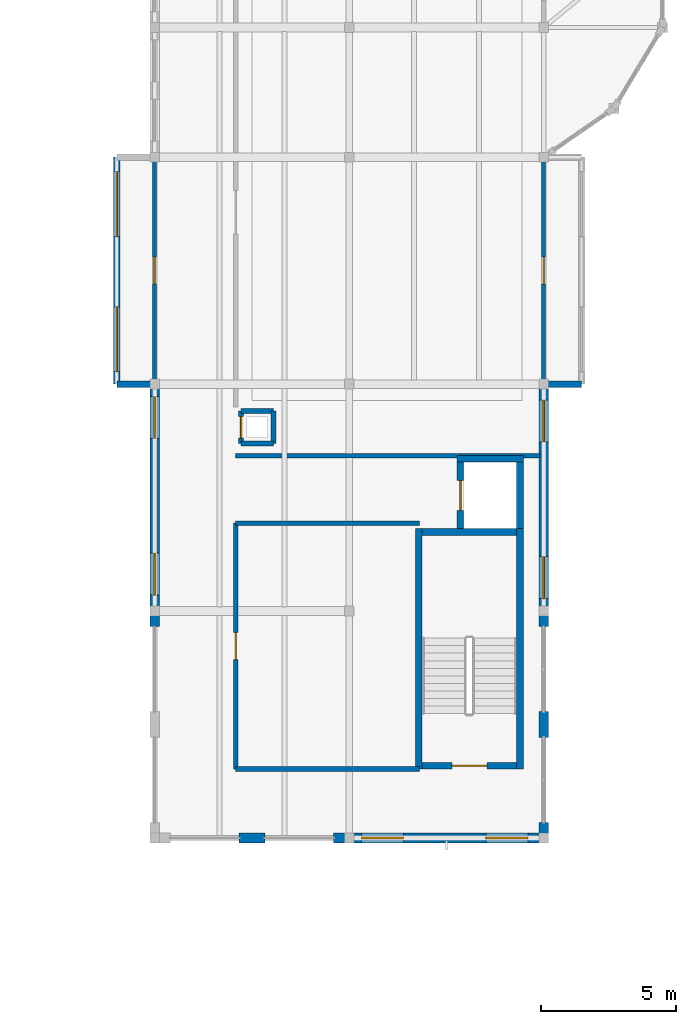
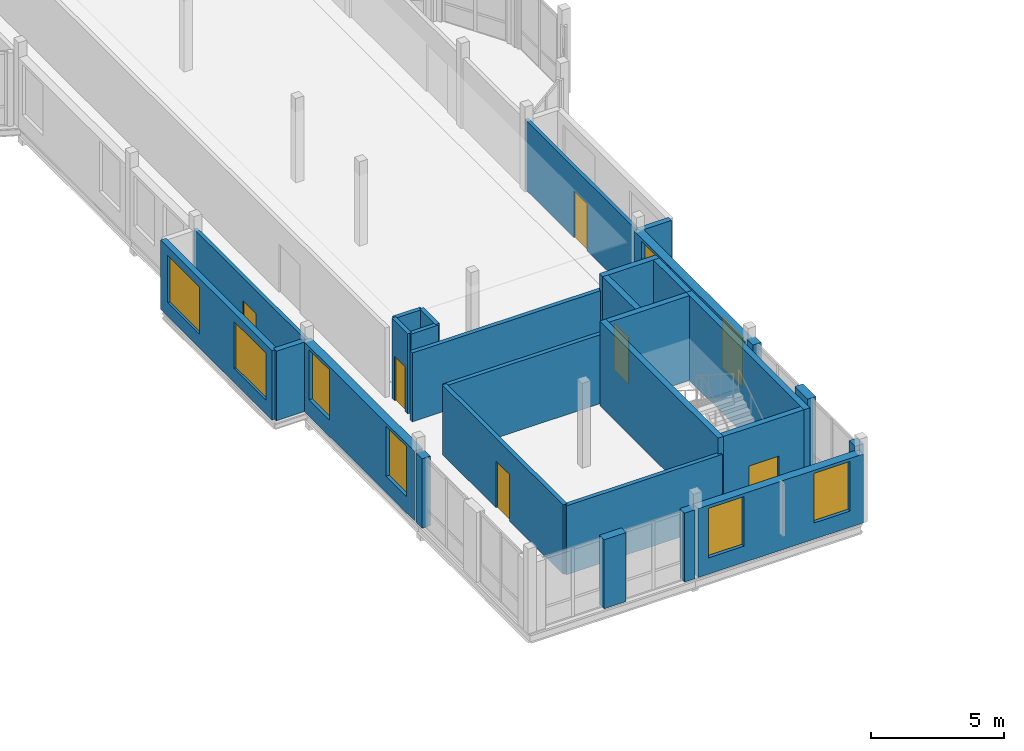
# One storey, part 39 of 57: 29 walls, 8 windows, 6 doors, 14 openings.
"""IFC4 building model written with IfcOpenShell, lengths in metres."""

from ifc_helpers import new_model, si_unit, direction, frame, frame_2d, origin, place, context, subcontext, project, spatial, rectangle, extrude, material, layer, layer_set, type_object, element, fill, save


model = new_model("IFC4")

# Units and contexts
model_context = context("Model", 3, precision=1e-05, world=origin(), true_north=direction((0.0, 1.0)))
body_context = subcontext(model_context, "Body", "Model", "MODEL_VIEW")
ifc_project = project(units=[si_unit("LENGTHUNIT", "METRE"), si_unit("AREAUNIT", "SQUARE_METRE"), si_unit("VOLUMEUNIT", "CUBIC_METRE"), si_unit("PLANEANGLEUNIT", "RADIAN"), si_unit("MASSUNIT", "GRAM", prefix="KILO")], contexts=[model_context])

# Site, building, storey
site_placement = place(None, origin())
site = spatial("IfcSite", under=ifc_project, at=site_placement, CompositionType="ELEMENT")
building_placement = place(site_placement, origin())
building = spatial("IfcBuilding", under=site, at=building_placement, Name="Kahlenmark Community Centre", CompositionType="ELEMENT")
storey_placement = place(building_placement, frame((0.0, 0.0, 13.800048828125)))
storey = spatial("IfcBuildingStorey", under=building, at=storey_placement, Name="L03", CompositionType="ELEMENT", Elevation=13.800048828125)

# Wall, opening, door
ifc_material_1 = material(Name="Concrete C35/45", Category="concrete")
ifc_layer_1 = layer(ifc_material_1, 0.25)
ifc_layer_set_1 = layer_set([ifc_layer_1], Name="Concrete C35/45")
wall_type_1 = type_object("IfcWallType", Name="WT-CORE-250", PredefinedType="SHEAR", material=ifc_layer_set_1)
wall_1_placement = place(storey_placement, frame((82.300048828125, 53.47509765625, 0.0), z_axis=(0.0, 0.0, 1.0), x_axis=(1.0, 0.0, 0.0)))
wall_1 = element("IfcWall", 1, at=wall_1_placement, inside=storey, type_object=wall_type_1, Name="Core K6 shear wall WL-CORE-K6-L03-0225", PredefinedType="SHEAR", context=body_context, shape_type="SweptSolid", body=[
    extrude(rectangle(XDim=3.5, YDim=0.25, at=frame_2d((1.75, 0.0))), origin(), (0.0, 0.0, 1.0), 3.89990234375),
])
opening_1_placement = place(wall_1_placement, frame((1.10009765625, 0.0, -0.010009765625)))
opening_1 = element("IfcOpeningElement", 2, at=opening_1_placement, cuts=wall_1, Name="Opening FD-K6-L03", PredefinedType="OPENING", context=body_context, shape_type="SweptSolid", body=[
    extrude(rectangle(XDim=1.300048828125, YDim=2.159912109375, at=frame_2d((0.64990234375, 1.080078125))), frame((0.0, 0.135009765625, 0.0), z_axis=(0.0, -1.0, 0.0), x_axis=(1.0, 0.0, 0.0)), (0.0, 0.0, 1.0), 0.27001953125),
])
ifc_material_2 = material(Name="Fire-rated steel-framed timber door FD60S", Category="steel")
door_type_1 = type_object("IfcDoorType", Name="DT-FD-K6-L03", OperationType="NOTDEFINED", PredefinedType="DOOR", material=ifc_material_2)
door_1_placement = place(opening_1_placement, frame((1.300048828125, 0.0, 0.010009765625), z_axis=(0.0, 0.0, 1.0), x_axis=(-1.0, 0.0, 0.0)))
door_1 = element("IfcDoor", 3, at=door_1_placement, inside=storey, type_object=door_type_1, Name="Core K6 stair fire door L03", OperationType="SINGLE_SWING_LEFT", OverallHeight=2.14990234375, OverallWidth=1.300048828125, PredefinedType="DOOR", context=body_context, shape_type="SweptSolid", body=[
    extrude(rectangle(XDim=1.300048828125, YDim=2.14990234375, at=frame_2d((0.64990234375, 1.074951171875))), frame((0.0, 0.02490234375, 0.0), z_axis=(0.0, -1.0, 0.0), x_axis=(1.0, 0.0, 0.0)), (0.0, 0.0, 1.0), 0.050048828125),
])
fill(opening_1, door_1)

# Walls
wall_2_placement = place(storey_placement, frame((82.175048828125, 53.35009765625, 0.0), z_axis=(0.0, 0.0, 1.0), x_axis=(0.0, 1.0, 0.0)))
element("IfcWall", 4, at=wall_2_placement, inside=storey, type_object=wall_type_1, Name="Core K6 shear wall WL-CORE-K6-L03-0226", PredefinedType="SHEAR", context=body_context, shape_type="SweptSolid", body=[
    extrude(rectangle(XDim=8.89990234375, YDim=0.25, at=frame_2d((4.449951171875, 0.0))), origin(), (0.0, 0.0, 1.0), 3.89990234375),
])
wall_3_placement = place(storey_placement, frame((85.800048828125, 62.125, 0.0), z_axis=(0.0, 0.0, 1.0), x_axis=(-1.0, 0.0, 0.0)))
element("IfcWall", 5, at=wall_3_placement, inside=storey, type_object=wall_type_1, Name="Core K6 shear wall WL-CORE-K6-L03-0227", PredefinedType="SHEAR", context=body_context, shape_type="SweptSolid", body=[
    extrude(rectangle(XDim=3.5, YDim=0.25, at=frame_2d((1.75, 0.0))), origin(), (0.0, 0.0, 1.0), 3.89990234375),
])
wall_4_placement = place(storey_placement, frame((85.925048828125, 53.35009765625, 0.0), z_axis=(0.0, 0.0, 1.0), x_axis=(0.0, 1.0, 0.0)))
element("IfcWall", 6, at=wall_4_placement, inside=storey, type_object=wall_type_1, Name="Core K6 shear wall WL-CORE-K6-L03-0228", PredefinedType="SHEAR", context=body_context, shape_type="SweptSolid", body=[
    extrude(rectangle(XDim=8.89990234375, YDim=0.25, at=frame_2d((4.449951171875, 0.0))), origin(), (0.0, 0.0, 1.0), 3.89990234375),
])
wall_5_placement = place(storey_placement, frame((83.590087890625, 64.8349609375, 0.0), z_axis=(0.0, 0.0, 1.0), x_axis=(1.0, 0.0, 0.0)))
element("IfcWall", 7, at=wall_5_placement, inside=storey, type_object=wall_type_1, Name="Core K6 shear wall WL-CORE-K6-L03-0229", PredefinedType="SHEAR", context=body_context, shape_type="SweptSolid", body=[
    extrude(rectangle(XDim=2.4599609375, YDim=0.25, at=frame_2d((1.22998046875, 0.0))), origin(), (0.0, 0.0, 1.0), 3.89990234375),
])

# Wall, opening, door
wall_6_placement = place(storey_placement, frame((83.715087890625, 62.25, 0.0), z_axis=(0.0, 0.0, 1.0), x_axis=(0.0, 1.0, 0.0)))
wall_6 = element("IfcWall", 8, at=wall_6_placement, inside=storey, type_object=wall_type_1, Name="Core K6 shear wall WL-CORE-K6-L03-0230", PredefinedType="SHEAR", context=body_context, shape_type="SweptSolid", body=[
    extrude(rectangle(XDim=2.4599609375, YDim=0.25, at=frame_2d((1.22998046875, 0.0))), origin(), (0.0, 0.0, 1.0), 3.89990234375),
])
opening_2_placement = place(wall_6_placement, frame((0.679931640625, 0.0, -0.010009765625)))
opening_2 = element("IfcOpeningElement", 9, at=opening_2_placement, cuts=wall_6, Name="Opening LD-6", PredefinedType="OPENING", context=body_context, shape_type="SweptSolid", body=[
    extrude(rectangle(XDim=1.10009765625, YDim=2.159912109375, at=frame_2d((0.550048828125, 1.080078125))), frame((0.0, 0.135009765625, 0.0), z_axis=(0.0, -1.0, 0.0), x_axis=(1.0, 0.0, 0.0)), (0.0, 0.0, 1.0), 0.27001953125),
])
ifc_material_3 = material(Name="Brushed stainless steel sliding lift landing door", Category="steel")
door_type_2 = type_object("IfcDoorType", Name="DT-LD-K6", OperationType="SLIDING_TO_LEFT", PredefinedType="DOOR", material=ifc_material_3)
door_2_placement = place(opening_2_placement, frame((0.0, 0.0, 0.010009765625)))
door_2 = element("IfcDoor", 10, at=door_2_placement, inside=storey, type_object=door_type_2, Name="Lift LF-06 sliding landing door L03", OperationType="SLIDING_TO_LEFT", OverallHeight=2.14990234375, OverallWidth=1.10009765625, PredefinedType="DOOR", context=body_context, shape_type="SweptSolid", body=[
    extrude(rectangle(XDim=1.10009765625, YDim=2.14990234375, at=frame_2d((0.550048828125, 1.074951171875))), frame((0.0, 0.02490234375, 0.0), z_axis=(0.0, -1.0, 0.0), x_axis=(1.0, 0.0, 0.0)), (0.0, 0.0, 1.0), 0.050048828125),
])
fill(opening_2, door_2)

# Walls
wall_7_placement = place(storey_placement, frame((85.925048828125, 62.25, 0.0), z_axis=(0.0, 0.0, 1.0), x_axis=(0.0, 1.0, 0.0)))
element("IfcWall", 11, at=wall_7_placement, inside=storey, type_object=wall_type_1, Name="Core K6 shear wall WL-CORE-K6-L03-0231", PredefinedType="SHEAR", context=body_context, shape_type="SweptSolid", body=[
    extrude(rectangle(XDim=2.7099609375, YDim=0.25, at=frame_2d((1.35498046875, 0.0))), origin(), (0.0, 0.0, 1.0), 3.89990234375),
])
ifc_material_4 = material(Name="Cross-laminated timber CLT C24", Category="wood")
ifc_layer_2 = layer(ifc_material_4, 0.239990234375)
ifc_layer_set_2 = layer_set([ifc_layer_2], Name="Cross-laminated timber CLT C24")
wall_type_2 = type_object("IfcWallType", Name="WT-EW-240", PredefinedType="SOLIDWALL", material=ifc_layer_set_2)
wall_8_placement = place(storey_placement, frame((86.800048828125, 67.60009765625, 0.0), z_axis=(0.0, 0.0, 1.0), x_axis=(1.0, 0.0, 0.0)))
element("IfcWall", 12, at=wall_8_placement, inside=storey, type_object=wall_type_2, Name="Bay oriel wall WL-ORI-L03-0814", PredefinedType="SOLIDWALL", context=body_context, shape_type="SweptSolid", body=[
    extrude(rectangle(XDim=1.39990234375, YDim=0.239990234375, at=frame_2d((0.699951171875, 0.0))), origin(), (0.0, 0.0, 1.0), 3.199951171875),
])
wall_9_placement = place(storey_placement, frame((72.25, 67.60009765625, 0.0), z_axis=(0.0, 0.0, 1.0), x_axis=(-1.0, 0.0, 0.0)))
element("IfcWall", 13, at=wall_9_placement, inside=storey, type_object=wall_type_2, Name="Bay oriel wall WL-ORI-L03-0850", PredefinedType="SOLIDWALL", context=body_context, shape_type="SweptSolid", body=[
    extrude(rectangle(XDim=1.25, YDim=0.239990234375, at=frame_2d((0.625, 0.0))), origin(), (0.0, 0.0, 1.0), 3.199951171875),
])

# Wall, openings, windows
wall_10_placement = place(storey_placement, frame((71.0, 67.60009765625, 0.0), z_axis=(0.0, 0.0, 1.0), x_axis=(0.0, 1.0, 0.0)))
wall_10 = element("IfcWall", 14, at=wall_10_placement, inside=storey, type_object=wall_type_2, Name="Bay oriel wall WL-ORI-L03-0851", PredefinedType="SOLIDWALL", context=body_context, shape_type="SweptSolid", body=[
    extrude(rectangle(XDim=8.39990234375, YDim=0.239990234375, at=frame_2d((4.199951171875, 0.0))), origin(), (0.0, 0.0, 1.0), 3.199951171875),
])
opening_3_placement = place(wall_10_placement, frame((0.4599609375, 0.0, 0.64990234375)))
opening_3 = element("IfcOpeningElement", 15, at=opening_3_placement, cuts=wall_10, Name="Opening W-240X215", PredefinedType="OPENING", context=body_context, shape_type="SweptSolid", body=[
    extrude(rectangle(XDim=2.39990234375, YDim=2.14990234375, at=frame_2d((1.199951171875, 1.074951171875))), frame((0.0, 0.1298828125, 0.0), z_axis=(0.0, -1.0, 0.0), x_axis=(1.0, 0.0, 0.0)), (0.0, 0.0, 1.0), 0.260009765625),
])
opening_4_placement = place(wall_10_placement, frame((5.4599609375, 0.0, 0.64990234375)))
opening_4 = element("IfcOpeningElement", 16, at=opening_4_placement, cuts=wall_10, Name="Opening W-240X215", PredefinedType="OPENING", context=body_context, shape_type="SweptSolid", body=[
    extrude(rectangle(XDim=2.39990234375, YDim=2.14990234375, at=frame_2d((1.199951171875, 1.074951171875))), frame((0.0, 0.1298828125, 0.0), z_axis=(0.0, -1.0, 0.0), x_axis=(1.0, 0.0, 0.0)), (0.0, 0.0, 1.0), 0.260009765625),
])
ifc_material_5 = material(Name="Triple low-e insulated glazing in timber-aluminium frame", Category="wood")
window_type_1 = type_object("IfcWindowType", Name="WNT-240X215", PartitioningType="TRIPLE_PANEL_VERTICAL", PredefinedType="WINDOW", material=ifc_material_5)
window_1_placement = place(opening_3_placement, origin())
window_1 = element("IfcWindow", 17, at=window_1_placement, inside=storey, type_object=window_type_1, Name="Window W-240X215 #0531", OverallHeight=2.14990234375, OverallWidth=2.39990234375, PartitioningType="TRIPLE_PANEL_VERTICAL", PredefinedType="WINDOW", context=body_context, shape_type="SweptSolid", body=[
    extrude(rectangle(XDim=2.39990234375, YDim=2.14990234375, at=frame_2d((1.199951171875, 1.074951171875))), frame((0.0, 0.030029296875, 0.0), z_axis=(0.0, -1.0, 0.0), x_axis=(1.0, 0.0, 0.0)), (0.0, 0.0, 1.0), 0.06005859375),
])
fill(opening_3, window_1)
window_2_placement = place(opening_4_placement, origin())
window_2 = element("IfcWindow", 18, at=window_2_placement, inside=storey, type_object=window_type_1, Name="Window W-240X215 #0532", OverallHeight=2.14990234375, OverallWidth=2.39990234375, PartitioningType="TRIPLE_PANEL_VERTICAL", PredefinedType="WINDOW", context=body_context, shape_type="SweptSolid", body=[
    extrude(rectangle(XDim=2.39990234375, YDim=2.14990234375, at=frame_2d((1.199951171875, 1.074951171875))), frame((0.0, 0.030029296875, 0.0), z_axis=(0.0, -1.0, 0.0), x_axis=(1.0, 0.0, 0.0)), (0.0, 0.0, 1.0), 0.06005859375),
])
fill(opening_4, window_2)

# Walls
ifc_material_6 = material(Name="Danube limestone masonry", Category="masonry")
ifc_layer_3 = layer(ifc_material_6, 0.360107421875)
ifc_layer_set_3 = layer_set([ifc_layer_3], Name="Danube limestone masonry")
wall_type_3 = type_object("IfcWallType", Name="WT-EW-360", PredefinedType="SOLIDWALL", material=ifc_layer_set_3)
wall_11_placement = place(storey_placement, frame((75.52001953125, 50.800048828125, 0.0), z_axis=(0.0, 0.0, 1.0), x_axis=(1.0, 0.0, 0.0)))
element("IfcWall", 19, at=wall_11_placement, inside=storey, type_object=wall_type_3, Name="Postmodern limestone pier 0610", PredefinedType="SOLIDWALL", context=body_context, shape_type="SweptSolid", body=[
    extrude(rectangle(XDim=0.9599609375, YDim=0.360107421875, at=frame_2d((0.47998046875, 0.0))), origin(), (0.0, 0.0, 1.0), 3.169921875),
])
wall_12_placement = place(storey_placement, frame((79.02001953125, 50.800048828125, 0.0), z_axis=(0.0, 0.0, 1.0), x_axis=(1.0, 0.0, 0.0)))
element("IfcWall", 20, at=wall_12_placement, inside=storey, type_object=wall_type_3, Name="Column closure pier 0612", PredefinedType="SOLIDWALL", context=body_context, shape_type="SweptSolid", body=[
    extrude(rectangle(XDim=0.449951171875, YDim=0.360107421875, at=frame_2d((0.22509765625, 0.0))), origin(), (0.0, 0.0, 1.0), 3.169921875),
])

# Wall, openings, windows
wall_13_placement = place(storey_placement, frame((79.60009765625, 50.800048828125, 0.0), z_axis=(0.0, 0.0, 1.0), x_axis=(1.0, 0.0, 0.0)))
wall_13 = element("IfcWall", 21, at=wall_13_placement, inside=storey, type_object=wall_type_3, Name="Exterior wall WL-EXT-L03-0613", PredefinedType="SOLIDWALL", context=body_context, shape_type="SweptSolid", body=[
    extrude(rectangle(XDim=7.199951171875, YDim=0.360107421875, at=frame_2d((3.60009765625, 0.0))), origin(), (0.0, 0.0, 1.0), 3.169921875),
])
opening_5_placement = place(wall_13_placement, frame((0.4599609375, 0.0, 0.75)))
opening_5 = element("IfcOpeningElement", 22, at=opening_5_placement, cuts=wall_13, Name="Opening W-155X228", PredefinedType="OPENING", context=body_context, shape_type="SweptSolid", body=[
    extrude(rectangle(XDim=1.550048828125, YDim=2.280029296875, at=frame_2d((0.77490234375, 1.14013671875))), frame((0.0, 0.18994140625, 0.0), z_axis=(0.0, -1.0, 0.0), x_axis=(1.0, 0.0, 0.0)), (0.0, 0.0, 1.0), 0.380126953125),
])
opening_6_placement = place(wall_13_placement, frame((5.06005859375, 0.0, 0.75)))
opening_6 = element("IfcOpeningElement", 23, at=opening_6_placement, cuts=wall_13, Name="Opening W-155X228", PredefinedType="OPENING", context=body_context, shape_type="SweptSolid", body=[
    extrude(rectangle(XDim=1.550048828125, YDim=2.280029296875, at=frame_2d((0.77490234375, 1.14013671875))), frame((0.0, 0.18994140625, 0.0), z_axis=(0.0, -1.0, 0.0), x_axis=(1.0, 0.0, 0.0)), (0.0, 0.0, 1.0), 0.380126953125),
])
ifc_material_7 = material(Name="Deep-reveal limestone punched triple glazing", Category="masonry")
window_type_2 = type_object("IfcWindowType", Name="WNT-155X228", PartitioningType="DOUBLE_PANEL_HORIZONTAL", PredefinedType="WINDOW", material=ifc_material_7)
window_3_placement = place(opening_5_placement, origin())
window_3 = element("IfcWindow", 24, at=window_3_placement, inside=storey, type_object=window_type_2, Name="Window W-155X228 #0385", OverallHeight=2.280029296875, OverallWidth=1.550048828125, PartitioningType="DOUBLE_PANEL_HORIZONTAL", PredefinedType="WINDOW", context=body_context, shape_type="SweptSolid", body=[
    extrude(rectangle(XDim=1.550048828125, YDim=2.280029296875, at=frame_2d((0.77490234375, 1.14013671875))), frame((0.0, 0.030029296875, 0.0), z_axis=(0.0, -1.0, 0.0), x_axis=(1.0, 0.0, 0.0)), (0.0, 0.0, 1.0), 0.06005859375),
])
fill(opening_5, window_3)
window_4_placement = place(opening_6_placement, origin())
window_4 = element("IfcWindow", 25, at=window_4_placement, inside=storey, type_object=window_type_2, Name="Window W-155X228 #0386", OverallHeight=2.280029296875, OverallWidth=1.550048828125, PartitioningType="DOUBLE_PANEL_HORIZONTAL", PredefinedType="WINDOW", context=body_context, shape_type="SweptSolid", body=[
    extrude(rectangle(XDim=1.550048828125, YDim=2.280029296875, at=frame_2d((0.77490234375, 1.14013671875))), frame((0.0, 0.030029296875, 0.0), z_axis=(0.0, -1.0, 0.0), x_axis=(1.0, 0.0, 0.0)), (0.0, 0.0, 1.0), 0.06005859375),
])
fill(opening_6, window_4)

# Wall
wall_14_placement = place(storey_placement, frame((72.39990234375, 59.070068359375, 0.0), z_axis=(0.0, 0.0, 1.0), x_axis=(0.0, -1.0, 0.0)))
element("IfcWall", 26, at=wall_14_placement, inside=storey, type_object=wall_type_3, Name="Column closure pier 0615", PredefinedType="SOLIDWALL", context=body_context, shape_type="SweptSolid", body=[
    extrude(rectangle(XDim=0.449951171875, YDim=0.360107421875, at=frame_2d((0.22509765625, 0.0))), origin(), (0.0, 0.0, 1.0), 3.199951171875),
])

# Wall, openings, windows
wall_15_placement = place(storey_placement, frame((72.39990234375, 67.60009765625, 0.0), z_axis=(0.0, 0.0, 1.0), x_axis=(0.0, -1.0, 0.0)))
wall_15 = element("IfcWall", 27, at=wall_15_placement, inside=storey, type_object=wall_type_3, Name="Exterior wall WL-EXT-L03-0617", PredefinedType="SOLIDWALL", context=body_context, shape_type="SweptSolid", body=[
    extrude(rectangle(XDim=8.400146484375, YDim=0.360107421875, at=frame_2d((4.2001953125, 0.0))), origin(), (0.0, 0.0, 1.0), 3.199951171875),
])
opening_7_placement = place(wall_15_placement, frame((0.4599609375, 0.0, 0.75)))
opening_7 = element("IfcOpeningElement", 28, at=opening_7_placement, cuts=wall_15, Name="Opening W-155X231", PredefinedType="OPENING", context=body_context, shape_type="SweptSolid", body=[
    extrude(rectangle(XDim=1.550048828125, YDim=2.31005859375, at=frame_2d((0.77490234375, 1.155029296875))), frame((0.0, 0.18994140625, 0.0), z_axis=(0.0, -1.0, 0.0), x_axis=(1.0, 0.0, 0.0)), (0.0, 0.0, 1.0), 0.380126953125),
])
opening_8_placement = place(wall_15_placement, frame((6.260009765625, 0.0, 0.75)))
opening_8 = element("IfcOpeningElement", 29, at=opening_8_placement, cuts=wall_15, Name="Opening W-155X231", PredefinedType="OPENING", context=body_context, shape_type="SweptSolid", body=[
    extrude(rectangle(XDim=1.550048828125, YDim=2.31005859375, at=frame_2d((0.77490234375, 1.155029296875))), frame((0.0, 0.18994140625, 0.0), z_axis=(0.0, -1.0, 0.0), x_axis=(1.0, 0.0, 0.0)), (0.0, 0.0, 1.0), 0.380126953125),
])
window_type_3 = type_object("IfcWindowType", Name="WNT-155X231", PartitioningType="DOUBLE_PANEL_HORIZONTAL", PredefinedType="WINDOW", material=ifc_material_7)
window_5_placement = place(opening_7_placement, origin())
window_5 = element("IfcWindow", 30, at=window_5_placement, inside=storey, type_object=window_type_3, Name="Window W-155X231 #0387", OverallHeight=2.31005859375, OverallWidth=1.550048828125, PartitioningType="DOUBLE_PANEL_HORIZONTAL", PredefinedType="WINDOW", context=body_context, shape_type="SweptSolid", body=[
    extrude(rectangle(XDim=1.550048828125, YDim=2.31005859375, at=frame_2d((0.77490234375, 1.155029296875))), frame((0.0, 0.030029296875, 0.0), z_axis=(0.0, -1.0, 0.0), x_axis=(1.0, 0.0, 0.0)), (0.0, 0.0, 1.0), 0.06005859375),
])
fill(opening_7, window_5)
window_6_placement = place(opening_8_placement, origin())
window_6 = element("IfcWindow", 31, at=window_6_placement, inside=storey, type_object=window_type_3, Name="Window W-155X231 #0388", OverallHeight=2.31005859375, OverallWidth=1.550048828125, PartitioningType="DOUBLE_PANEL_HORIZONTAL", PredefinedType="WINDOW", context=body_context, shape_type="SweptSolid", body=[
    extrude(rectangle(XDim=1.550048828125, YDim=2.31005859375, at=frame_2d((0.77490234375, 1.155029296875))), frame((0.0, 0.030029296875, 0.0), z_axis=(0.0, -1.0, 0.0), x_axis=(1.0, 0.0, 0.0)), (0.0, 0.0, 1.0), 0.06005859375),
])
fill(opening_8, window_6)

# Walls
wall_16_placement = place(storey_placement, frame((86.800048828125, 54.52001953125, 0.0), z_axis=(0.0, 0.0, 1.0), x_axis=(0.0, 1.0, 0.0)))
element("IfcWall", 32, at=wall_16_placement, inside=storey, type_object=wall_type_3, Name="Postmodern limestone pier 0620", PredefinedType="SOLIDWALL", context=body_context, shape_type="SweptSolid", body=[
    extrude(rectangle(XDim=0.9599609375, YDim=0.360107421875, at=frame_2d((0.47998046875, 0.0))), origin(), (0.0, 0.0, 1.0), 3.389892578125),
])
for number, where, z_axis, x_axis, name in (
    (33, (86.800048828125, 50.929931640625, 0.0), (0.0, 0.0, 1.0), (0.0, 1.0, 0.0), "Column closure pier 0621"),
    (34, (86.800048828125, 58.6201171875, 0.0), (0.0, 0.0, 1.0), (0.0, 1.0, 0.0), "Column closure pier 0622"),
):
    element("IfcWall", number, at=place(storey_placement, frame(where, z_axis=z_axis, x_axis=x_axis)), inside=storey, type_object=wall_type_3, Name=name, PredefinedType="SOLIDWALL", context=body_context, shape_type="SweptSolid", body=[
        extrude(rectangle(XDim=0.449951171875, YDim=0.360107421875, at=frame_2d((0.22509765625, 0.0))), origin(), (0.0, 0.0, 1.0), 3.389892578125),
    ])

# Wall, openings, windows
wall_17_placement = place(storey_placement, frame((86.800048828125, 59.199951171875, 0.0), z_axis=(0.0, 0.0, 1.0), x_axis=(0.0, 1.0, 0.0)))
wall_17 = element("IfcWall", 35, at=wall_17_placement, inside=storey, type_object=wall_type_3, Name="Exterior wall WL-EXT-L03-0623", PredefinedType="SOLIDWALL", context=body_context, shape_type="SweptSolid", body=[
    extrude(rectangle(XDim=8.400146484375, YDim=0.360107421875, at=frame_2d((4.2001953125, 0.0))), origin(), (0.0, 0.0, 1.0), 3.199951171875),
])
opening_9_placement = place(wall_17_placement, frame((0.4599609375, 0.0, 0.75)))
opening_9 = element("IfcOpeningElement", 36, at=opening_9_placement, cuts=wall_17, Name="Opening W-155X231", PredefinedType="OPENING", context=body_context, shape_type="SweptSolid", body=[
    extrude(rectangle(XDim=1.550048828125, YDim=2.31005859375, at=frame_2d((0.77490234375, 1.155029296875))), frame((0.0, 0.18994140625, 0.0), z_axis=(0.0, -1.0, 0.0), x_axis=(1.0, 0.0, 0.0)), (0.0, 0.0, 1.0), 0.380126953125),
])
opening_10_placement = place(wall_17_placement, frame((6.260009765625, 0.0, 0.75)))
opening_10 = element("IfcOpeningElement", 37, at=opening_10_placement, cuts=wall_17, Name="Opening W-155X231", PredefinedType="OPENING", context=body_context, shape_type="SweptSolid", body=[
    extrude(rectangle(XDim=1.550048828125, YDim=2.31005859375, at=frame_2d((0.77490234375, 1.155029296875))), frame((0.0, 0.18994140625, 0.0), z_axis=(0.0, -1.0, 0.0), x_axis=(1.0, 0.0, 0.0)), (0.0, 0.0, 1.0), 0.380126953125),
])
window_7_placement = place(opening_9_placement, origin())
window_7 = element("IfcWindow", 38, at=window_7_placement, inside=storey, type_object=window_type_3, Name="Window W-155X231 #0393", OverallHeight=2.31005859375, OverallWidth=1.550048828125, PartitioningType="DOUBLE_PANEL_HORIZONTAL", PredefinedType="WINDOW", context=body_context, shape_type="SweptSolid", body=[
    extrude(rectangle(XDim=1.550048828125, YDim=2.31005859375, at=frame_2d((0.77490234375, 1.155029296875))), frame((0.0, 0.030029296875, 0.0), z_axis=(0.0, -1.0, 0.0), x_axis=(1.0, 0.0, 0.0)), (0.0, 0.0, 1.0), 0.06005859375),
])
fill(opening_9, window_7)
window_8_placement = place(opening_10_placement, origin())
window_8 = element("IfcWindow", 39, at=window_8_placement, inside=storey, type_object=window_type_3, Name="Window W-155X231 #0394", OverallHeight=2.31005859375, OverallWidth=1.550048828125, PartitioningType="DOUBLE_PANEL_HORIZONTAL", PredefinedType="WINDOW", context=body_context, shape_type="SweptSolid", body=[
    extrude(rectangle(XDim=1.550048828125, YDim=2.31005859375, at=frame_2d((0.77490234375, 1.155029296875))), frame((0.0, 0.030029296875, 0.0), z_axis=(0.0, -1.0, 0.0), x_axis=(1.0, 0.0, 0.0)), (0.0, 0.0, 1.0), 0.06005859375),
])
fill(opening_10, window_8)

# Wall, opening, door
ifc_material_8 = material(Name="Gypsum plasterboard partition", Category="gypsum")
ifc_layer_4 = layer(ifc_material_8, 0.14990234375)
ifc_layer_set_4 = layer_set([ifc_layer_4], Name="Gypsum plasterboard partition")
wall_type_4 = type_object("IfcWallType", Name="WT-PW-150", PredefinedType="PARTITIONING", material=ifc_layer_set_4)
wall_18_placement = place(storey_placement, frame((86.800048828125, 67.60009765625, 0.0), z_axis=(0.0, 0.0, 1.0), x_axis=(0.0, 1.0, 0.0)))
wall_18 = element("IfcWall", 40, at=wall_18_placement, inside=storey, type_object=wall_type_4, Name="Interior partition WL-INT-L03-0229", PredefinedType="PARTITIONING", context=body_context, shape_type="SweptSolid", body=[
    extrude(rectangle(XDim=8.39990234375, YDim=0.14990234375, at=frame_2d((4.199951171875, 0.0))), origin(), (0.0, 0.0, 1.0), 3.199951171875),
])
opening_11_placement = place(wall_18_placement, frame((3.699951171875, 0.0, -0.010009765625)))
opening_11 = element("IfcOpeningElement", 41, at=opening_11_placement, cuts=wall_18, Name="Opening D-L03-131", PredefinedType="OPENING", context=body_context, shape_type="SweptSolid", body=[
    extrude(rectangle(XDim=1.0, YDim=2.159912109375, at=frame_2d((0.5, 1.080078125))), frame((0.0, 0.0849609375, 0.0), z_axis=(0.0, -1.0, 0.0), x_axis=(1.0, 0.0, 0.0)), (0.0, 0.0, 1.0), 0.169921875),
])
ifc_material_9 = material(Name="Oak timber veneer door leaf", Category="wood")
door_type_3 = type_object("IfcDoorType", Name="DT-INT-100X215", OperationType="NOTDEFINED", PredefinedType="DOOR", material=ifc_material_9)
door_3_placement = place(opening_11_placement, frame((0.0, 0.0, 0.010009765625)))
door_3 = element("IfcDoor", 42, at=door_3_placement, inside=storey, type_object=door_type_3, Name="Interior door D-L03-131", OperationType="SINGLE_SWING_RIGHT", OverallHeight=2.14990234375, OverallWidth=1.0, PredefinedType="DOOR", context=body_context, shape_type="SweptSolid", body=[
    extrude(rectangle(XDim=1.0, YDim=2.14990234375, at=frame_2d((0.5, 1.074951171875))), frame((0.0, 0.02490234375, 0.0), z_axis=(0.0, -1.0, 0.0), x_axis=(1.0, 0.0, 0.0)), (0.0, 0.0, 1.0), 0.050048828125),
])
fill(opening_11, door_3)

wall_19_placement = place(storey_placement, frame((72.39990234375, 67.60009765625, 0.0), z_axis=(0.0, 0.0, 1.0), x_axis=(0.0, 1.0, 0.0)))
wall_19 = element("IfcWall", 43, at=wall_19_placement, inside=storey, type_object=wall_type_4, Name="Interior partition WL-INT-L03-0230", PredefinedType="PARTITIONING", context=body_context, shape_type="SweptSolid", body=[
    extrude(rectangle(XDim=8.39990234375, YDim=0.14990234375, at=frame_2d((4.199951171875, 0.0))), origin(), (0.0, 0.0, 1.0), 3.199951171875),
])
opening_12_placement = place(wall_19_placement, frame((3.699951171875, 0.0, -0.010009765625)))
opening_12 = element("IfcOpeningElement", 44, at=opening_12_placement, cuts=wall_19, Name="Opening D-L03-132", PredefinedType="OPENING", context=body_context, shape_type="SweptSolid", body=[
    extrude(rectangle(XDim=1.0, YDim=2.159912109375, at=frame_2d((0.5, 1.080078125))), frame((0.0, 0.0849609375, 0.0), z_axis=(0.0, -1.0, 0.0), x_axis=(1.0, 0.0, 0.0)), (0.0, 0.0, 1.0), 0.169921875),
])
door_4_placement = place(opening_12_placement, frame((1.0, 0.0, 0.010009765625), z_axis=(0.0, 0.0, 1.0), x_axis=(-1.0, 0.0, 0.0)))
door_4 = element("IfcDoor", 45, at=door_4_placement, inside=storey, type_object=door_type_3, Name="Interior door D-L03-132", OperationType="SINGLE_SWING_LEFT", OverallHeight=2.14990234375, OverallWidth=1.0, PredefinedType="DOOR", context=body_context, shape_type="SweptSolid", body=[
    extrude(rectangle(XDim=1.0, YDim=2.14990234375, at=frame_2d((0.5, 1.074951171875))), frame((0.0, 0.02490234375, 0.0), z_axis=(0.0, -1.0, 0.0), x_axis=(1.0, 0.0, 0.0)), (0.0, 0.0, 1.0), 0.050048828125),
])
fill(opening_12, door_4)

# Wall
ifc_layer_5 = layer(ifc_material_8, 0.179931640625)
ifc_layer_set_5 = layer_set([ifc_layer_5], Name="Gypsum plasterboard partition")
wall_type_5 = type_object("IfcWallType", Name="WT-PW-180", PredefinedType="PARTITIONING", material=ifc_layer_set_5)
wall_20_placement = place(storey_placement, frame((75.39990234375, 53.35009765625, 0.0), z_axis=(0.0, 0.0, 1.0), x_axis=(1.0, 0.0, 0.0)))
element("IfcWall", 46, at=wall_20_placement, inside=storey, type_object=wall_type_5, Name="Interior partition WL-INT-L03-0244", PredefinedType="PARTITIONING", context=body_context, shape_type="SweptSolid", body=[
    extrude(rectangle(XDim=6.800048828125, YDim=0.179931640625, at=frame_2d((3.39990234375, 0.0))), origin(), (0.0, 0.0, 1.0), 3.169921875),
])

# Wall, opening, door
wall_21_placement = place(storey_placement, frame((75.39990234375, 53.35009765625, 0.0), z_axis=(0.0, 0.0, 1.0), x_axis=(0.0, 1.0, 0.0)))
wall_21 = element("IfcWall", 47, at=wall_21_placement, inside=storey, type_object=wall_type_5, Name="Interior partition WL-INT-L03-0245", PredefinedType="PARTITIONING", context=body_context, shape_type="SweptSolid", body=[
    extrude(rectangle(XDim=9.099853515625, YDim=0.179931640625, at=frame_2d((4.5498046875, 0.0))), origin(), (0.0, 0.0, 1.0), 3.199951171875),
])
opening_13_placement = place(wall_21_placement, frame((4.050048828125, 0.0, -0.010009765625)))
opening_13 = element("IfcOpeningElement", 48, at=opening_13_placement, cuts=wall_21, Name="Opening D-L03-140", PredefinedType="OPENING", context=body_context, shape_type="SweptSolid", body=[
    extrude(rectangle(XDim=1.0, YDim=2.159912109375, at=frame_2d((0.5, 1.080078125))), frame((0.0, 0.099853515625, 0.0), z_axis=(0.0, -1.0, 0.0), x_axis=(1.0, 0.0, 0.0)), (0.0, 0.0, 1.0), 0.199951171875),
])
door_5_placement = place(opening_13_placement, frame((0.0, 0.0, 0.010009765625)))
door_5 = element("IfcDoor", 49, at=door_5_placement, inside=storey, type_object=door_type_3, Name="Interior door D-L03-140", OperationType="SINGLE_SWING_LEFT", OverallHeight=2.14990234375, OverallWidth=1.0, PredefinedType="DOOR", context=body_context, shape_type="SweptSolid", body=[
    extrude(rectangle(XDim=1.0, YDim=2.14990234375, at=frame_2d((0.5, 1.074951171875))), frame((0.0, 0.02490234375, 0.0), z_axis=(0.0, -1.0, 0.0), x_axis=(1.0, 0.0, 0.0)), (0.0, 0.0, 1.0), 0.050048828125),
])
fill(opening_13, door_5)

# Walls
wall_22_placement = place(storey_placement, frame((75.39990234375, 62.449951171875, 0.0), z_axis=(0.0, 0.0, 1.0), x_axis=(1.0, 0.0, 0.0)))
element("IfcWall", 50, at=wall_22_placement, inside=storey, type_object=wall_type_5, Name="Interior partition WL-INT-L03-0246", PredefinedType="PARTITIONING", context=body_context, shape_type="SweptSolid", body=[
    extrude(rectangle(XDim=6.800048828125, YDim=0.179931640625, at=frame_2d((3.39990234375, 0.0))), origin(), (0.0, 0.0, 1.0), 3.169921875),
])
wall_23_placement = place(storey_placement, frame((75.39990234375, 64.949951171875, 0.0), z_axis=(0.0, 0.0, 1.0), x_axis=(1.0, 0.0, 0.0)))
element("IfcWall", 51, at=wall_23_placement, inside=storey, type_object=wall_type_5, Name="Interior partition WL-INT-L03-0247", PredefinedType="PARTITIONING", context=body_context, shape_type="SweptSolid", body=[
    extrude(rectangle(XDim=11.260009765625, YDim=0.179931640625, at=frame_2d((5.6298828125, 0.0))), origin(), (0.0, 0.0, 1.0), 3.169921875),
])
ifc_material_10 = material(Name="Masonry blockwork", Category="masonry")
ifc_layer_6 = layer(ifc_material_10, 0.179931640625)
ifc_layer_set_6 = layer_set([ifc_layer_6], Name="Masonry blockwork")
wall_type_6 = type_object("IfcWallType", Name="WT-RISER-180", PredefinedType="SOLIDWALL", material=ifc_layer_set_6)
wall_24_placement = place(storey_placement, frame((75.60009765625, 65.39990234375, 0.0), z_axis=(0.0, 0.0, 1.0), x_axis=(1.0, 0.0, 0.0)))
element("IfcWall", 52, at=wall_24_placement, inside=storey, type_object=wall_type_6, Name="Riser RS-08 shaft wall L03.1", PredefinedType="SOLIDWALL", context=body_context, shape_type="SweptSolid", body=[
    extrude(rectangle(XDim=1.199951171875, YDim=0.179931640625, at=frame_2d((0.60009765625, 0.0))), origin(), (0.0, 0.0, 1.0), 3.68994140625),
])
wall_25_placement = place(storey_placement, frame((76.800048828125, 65.39990234375, 0.0), z_axis=(0.0, 0.0, 1.0), x_axis=(0.0, 1.0, 0.0)))
element("IfcWall", 53, at=wall_25_placement, inside=storey, type_object=wall_type_6, Name="Riser RS-08 shaft wall L03.2", PredefinedType="SOLIDWALL", context=body_context, shape_type="SweptSolid", body=[
    extrude(rectangle(XDim=1.2001953125, YDim=0.179931640625, at=frame_2d((0.60009765625, 0.0))), origin(), (0.0, 0.0, 1.0), 3.68994140625),
])
wall_26_placement = place(storey_placement, frame((76.800048828125, 66.60009765625, 0.0), z_axis=(0.0, 0.0, 1.0), x_axis=(-1.0, 0.0, 0.0)))
element("IfcWall", 54, at=wall_26_placement, inside=storey, type_object=wall_type_6, Name="Riser RS-08 shaft wall L03.3", PredefinedType="SOLIDWALL", context=body_context, shape_type="SweptSolid", body=[
    extrude(rectangle(XDim=1.199951171875, YDim=0.179931640625, at=frame_2d((0.60009765625, 0.0))), origin(), (0.0, 0.0, 1.0), 3.68994140625),
])

# Wall, opening, door
wall_27_placement = place(storey_placement, frame((75.60009765625, 66.60009765625, 0.0), z_axis=(0.0, 0.0, 1.0), x_axis=(0.0, -1.0, 0.0)))
wall_27 = element("IfcWall", 55, at=wall_27_placement, inside=storey, type_object=wall_type_6, Name="Riser RS-08 shaft wall L03.4", PredefinedType="SOLIDWALL", context=body_context, shape_type="SweptSolid", body=[
    extrude(rectangle(XDim=1.2001953125, YDim=0.179931640625, at=frame_2d((0.60009765625, 0.0))), origin(), (0.0, 0.0, 1.0), 3.68994140625),
])
opening_14_placement = place(wall_27_placement, frame((0.199951171875, 0.0, -0.010009765625)))
opening_14 = element("IfcOpeningElement", 56, at=opening_14_placement, cuts=wall_27, Name="Opening FD-RS80", PredefinedType="OPENING", context=body_context, shape_type="SweptSolid", body=[
    extrude(rectangle(XDim=0.800048828125, YDim=2.06005859375, at=frame_2d((0.39990234375, 1.030029296875))), frame((0.0, 0.099853515625, 0.0), z_axis=(0.0, -1.0, 0.0), x_axis=(1.0, 0.0, 0.0)), (0.0, 0.0, 1.0), 0.199951171875),
])
ifc_material_11 = material(Name="Fire-rated steel service riser door FD60S", Category="steel")
door_type_4 = type_object("IfcDoorType", Name="DT-RISER-80X205", OperationType="NOTDEFINED", PredefinedType="DOOR", material=ifc_material_11)
door_6_placement = place(opening_14_placement, frame((0.0, 0.0, 0.010009765625)))
door_6 = element("IfcDoor", 57, at=door_6_placement, inside=storey, type_object=door_type_4, Name="Riser RS-08 access door L03", OperationType="SINGLE_SWING_LEFT", OverallHeight=2.050048828125, OverallWidth=0.800048828125, PredefinedType="DOOR", context=body_context, shape_type="SweptSolid", body=[
    extrude(rectangle(XDim=0.800048828125, YDim=2.050048828125, at=frame_2d((0.39990234375, 1.02490234375))), frame((0.0, 0.02490234375, 0.0), z_axis=(0.0, -1.0, 0.0), x_axis=(1.0, 0.0, 0.0)), (0.0, 0.0, 1.0), 0.050048828125),
])
fill(opening_14, door_6)

save(model, "model.ifc")
